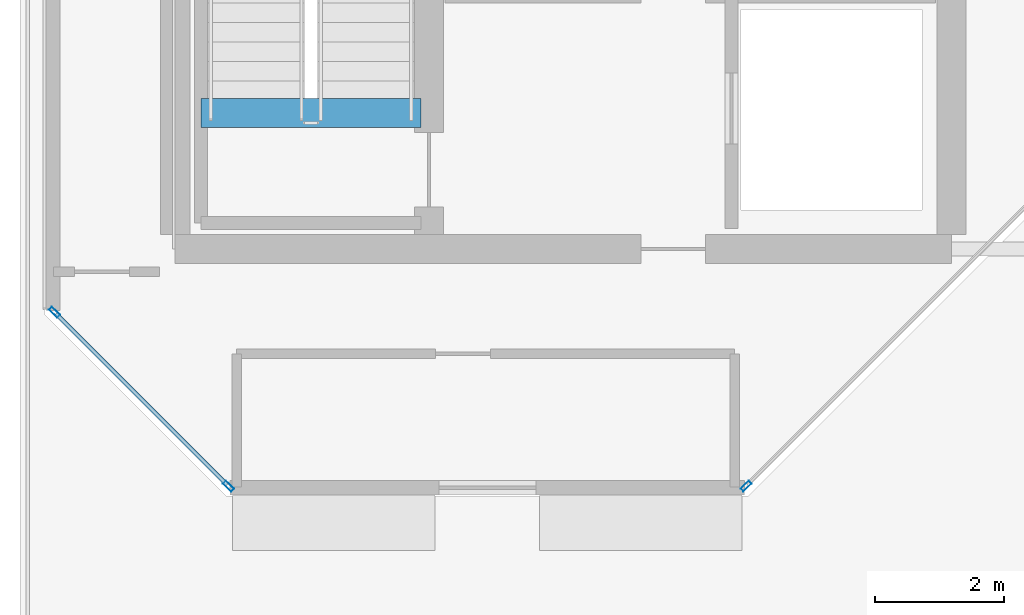
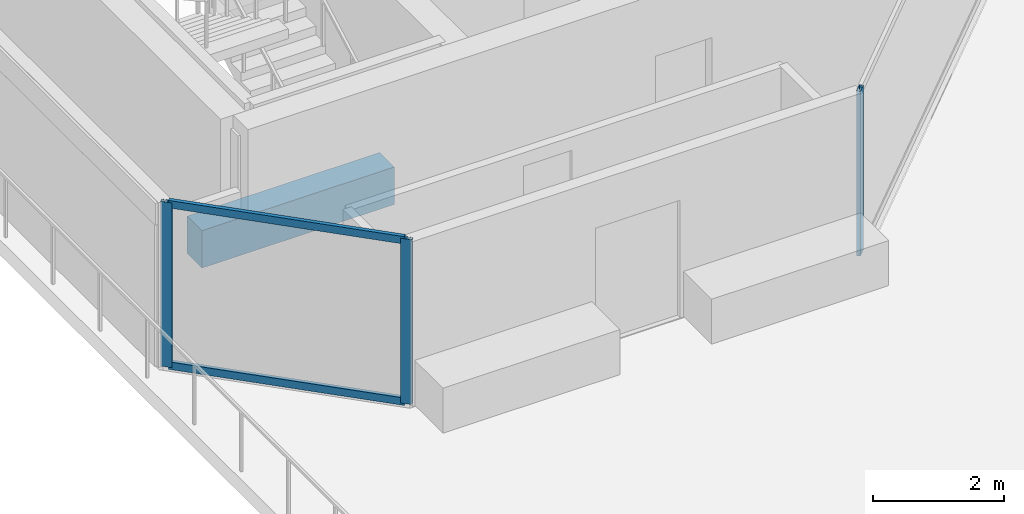
# One storey, part 2 of 30: 5 members, 1 beam, 2 elements without a shape of their own.
"""IFC4 building model written with IfcOpenShell, lengths in metres."""

import ifcopenshell
import ifcopenshell.guid

model = None  # the IFC model being written
_history = None  # IfcOwnerHistory: only IFC2X3 demands one
_inside = {}  # id of a spatial element -> (the spatial element, [elements in it])
_under = {}  # id of a project, library or spatial element -> (it, [spatial elements below it])
_declared = {}  # id of a project -> (the project, [libraries it declares])
_typed = {}  # id of a type object -> (the type object, [elements of that type])
_made_of = {}  # id of a material, layer set ... -> (it, [elements and type objects made of it])


def new_model(schema):
    """Start an empty IFC model of exactly this schema.

    Asked for "IFC4X3", IfcOpenShell would pick the latest addendum, in which some entities
    have other attributes; the version numbers below select the first issue.
    IFC2X3 requires an IfcOwnerHistory on every rooted entity: one is made here for all.
    """
    global model, _history
    if schema == "IFC4X3":
        model = ifcopenshell.file(schema_version=(4, 3, 0, 0))
    else:
        model = ifcopenshell.file(schema=schema)
    _inside.clear()
    _under.clear()
    _declared.clear()
    _typed.clear()
    _made_of.clear()
    _history = None
    if model.schema == "IFC2X3":
        org = make("IfcOrganization", Name="unknown")
        user = make(
            "IfcPersonAndOrganization",
            ThePerson=make("IfcPerson", FamilyName="unknown"),
            TheOrganization=org,
        )
        app = make(
            "IfcApplication",
            ApplicationDeveloper=org,
            Version="unknown",
            ApplicationFullName="unknown",
            ApplicationIdentifier="unknown",
        )
        _history = make(
            "IfcOwnerHistory",
            OwningUser=user,
            OwningApplication=app,
            ChangeAction="ADDED",
            CreationDate=0,
        )
    return model


def make(cls, **values):
    """One entity of the class cls with the attributes given. An attribute that is None is left unset."""
    return model.create_entity(
        cls, **{name: value for name, value in values.items() if value is not None}
    )


def rooted(cls, **values):
    """An entity with a GlobalId (a new one), such as an element, a storey or a relation."""
    return make(cls, GlobalId=ifcopenshell.guid.new(), OwnerHistory=_history, **values)


def si_unit(unit_type, name, prefix=None):
    """IfcSIUnit, for example si_unit("LENGTHUNIT", "METRE", prefix="MILLI")."""
    return make("IfcSIUnit", UnitType=unit_type, Prefix=prefix, Name=name)


def assignment(units):
    """IfcUnitAssignment: the units of a project."""
    return None if units is None else make("IfcUnitAssignment", Units=units)


def point(xyz):
    """IfcCartesianPoint."""
    return None if xyz is None else make("IfcCartesianPoint", Coordinates=xyz)


def direction(xyz):
    """IfcDirection."""
    return None if xyz is None else make("IfcDirection", DirectionRatios=xyz)


def frame(location, z_axis=None, x_axis=None):
    """IfcAxis2Placement3D, a coordinate frame: its origin and axes. An axis left out is left unset."""
    return make(
        "IfcAxis2Placement3D",
        Location=point(location),
        Axis=direction(z_axis),
        RefDirection=direction(x_axis),
    )


def frame_2d(location, x_axis=None):
    """IfcAxis2Placement2D, a coordinate frame in the plane: its origin and x axis."""
    return make(
        "IfcAxis2Placement2D", Location=point(location), RefDirection=direction(x_axis)
    )


def origin():
    """The frame at (0, 0, 0) with its axes left unset."""
    return frame((0.0, 0.0, 0.0))


def origin_2d():
    """The frame at (0, 0) in the plane with its x axis left unset."""
    return frame_2d((0.0, 0.0))


def place(relative_to, where):
    """IfcLocalPlacement: puts the frame where relative to a parent placement (None: the world)."""
    return make(
        "IfcLocalPlacement", PlacementRelTo=relative_to, RelativePlacement=where
    )


def context(
    kind, dimensions, precision=None, world=None, true_north=None, identifier=None
):
    """IfcGeometricRepresentationContext, for example the 3D "Model" context."""
    return make(
        "IfcGeometricRepresentationContext",
        ContextIdentifier=identifier,
        ContextType=kind,
        CoordinateSpaceDimension=dimensions,
        Precision=precision,
        WorldCoordinateSystem=world,
        TrueNorth=true_north,
    )


def subcontext(parent, identifier, kind, view, scale=None):
    """IfcGeometricRepresentationSubContext, for example "Body" below "Model"."""
    return make(
        "IfcGeometricRepresentationSubContext",
        ContextIdentifier=identifier,
        ContextType=kind,
        ParentContext=parent,
        TargetScale=scale,
        TargetView=view,
    )


def project(units=None, contexts=None):
    """IfcProject with its units and contexts."""
    return rooted(
        "IfcProject",
        Name="project",
        RepresentationContexts=contexts,
        UnitsInContext=assignment(units),
    )


def spatial(cls, under=None, at=None, **own):
    """A site, building, storey or space (cls), placed at a placement, below another one or the project."""
    s = rooted(cls, ObjectPlacement=at, **own)
    if under is not None:
        _under.setdefault(under.id(), (under, []))[1].append(s)
    return s


def profile(cls, at=None, kind="AREA", **sizes):
    """A parametric profile (cls). Its sizes go by their IFC names, for example OverallWidth=200.0."""
    return make(cls, ProfileType=kind, Position=at, **sizes)


def rectangle(**sizes):
    """IfcRectangleProfileDef."""
    return profile("IfcRectangleProfileDef", **sizes)


def hollow_rectangle(**sizes):
    """IfcRectangleHollowProfileDef."""
    return profile("IfcRectangleHollowProfileDef", **sizes)


def extrude(swept, where, along, depth):
    """IfcExtrudedAreaSolid: the profile swept, set in the frame where, extruded along a direction by depth."""
    return make(
        "IfcExtrudedAreaSolid",
        SweptArea=swept,
        Position=where,
        ExtrudedDirection=direction(along),
        Depth=depth,
    )


def shape(context_of_items, identifier, shape_type, items):
    """IfcShapeRepresentation: the items that make up one representation, for example the "Body"."""
    return make(
        "IfcShapeRepresentation",
        ContextOfItems=context_of_items,
        RepresentationIdentifier=identifier,
        RepresentationType=shape_type,
        Items=items,
    )


def material(Name=None, Category=None):
    """IfcMaterial."""
    return make("IfcMaterial", Name=Name, Category=Category)


def layer(
    of_material, thickness, ventilated=None, Name=None, Category=None, Priority=None
):
    """IfcMaterialLayer: one layer of a wall or slab, of a material (None: an air gap)."""
    return make(
        "IfcMaterialLayer",
        Material=of_material,
        LayerThickness=thickness,
        IsVentilated=ventilated,
        Name=Name,
        Category=Category,
        Priority=Priority,
    )


def layer_set(layers, Name=None):
    """IfcMaterialLayerSet."""
    return make("IfcMaterialLayerSet", MaterialLayers=layers, LayerSetName=Name)


def material_profile(
    of_material, cross_section, Name=None, Category=None, Priority=None
):
    """IfcMaterialProfile: a cross section and its material."""
    return make(
        "IfcMaterialProfile",
        Name=Name,
        Material=of_material,
        Profile=cross_section,
        Priority=Priority,
        Category=Category,
    )


def profile_set(profiles, Name=None, composite=None):
    """IfcMaterialProfileSet."""
    return make(
        "IfcMaterialProfileSet",
        Name=Name,
        MaterialProfiles=profiles,
        CompositeProfile=composite,
    )


def made_of(thing, what):
    """Note that an element or type object is made of a material, layer set ...; save() writes the relation."""
    if what is not None:
        _made_of.setdefault(what.id(), (what, []))[1].append(thing)
    return thing


def type_object(cls, material=None, **own):
    """A type object (cls), such as IfcWallType, which elements share."""
    return made_of(rooted(cls, **own), material)


def element(
    cls,
    number,
    at=None,
    inside=None,
    cuts=None,
    type_object=None,
    material=None,
    context=None,
    identifier="Body",
    shape_type=None,
    held_by="IfcProductDefinitionShape",
    body=None,
    shapes=None,
    **own,
):
    """One element of the class cls, such as IfcWall. Its Tag is "e" and its number.

    at: its placement. inside: the storey or other place that contains it. cuts: it is an
    opening in that element (IfcRelVoidsElement). A single representation is given by context,
    identifier, shape_type and body (its items); several are given by shapes. held_by: the class
    of the entity that holds the representations. save() writes the other relations.
    """
    e = rooted(cls, Tag="e%d" % number, ObjectPlacement=at, **own)
    if body is not None:
        shapes = [shape(context, identifier, shape_type, body)]
    if shapes is not None:
        e.Representation = make(held_by, Representations=shapes)
    if inside is not None:
        _inside.setdefault(inside.id(), (inside, []))[1].append(e)
    if cuts is not None:
        rooted(
            "IfcRelVoidsElement", RelatingBuildingElement=cuts, RelatedOpeningElement=e
        )
    if type_object is not None:
        _typed.setdefault(type_object.id(), (type_object, []))[1].append(e)
    return made_of(e, material)


def aggregate(whole, parts):
    """IfcRelAggregates: a whole, such as a stair, and the parts it consists of."""
    return rooted("IfcRelAggregates", RelatingObject=whole, RelatedObjects=parts)


def save(model, path):
    """Write the relations noted so far, then the file.

    IfcRelAggregates (storeys below a building ...), IfcRelContainedInSpatialStructure (elements
    in a storey), IfcRelDefinesByType, IfcRelAssociatesMaterial and IfcRelDeclares: one each for
    every whole, place, type object, material and project.
    """
    for whole, parts in _under.values():
        aggregate(whole, parts)
    for where, things in _inside.values():
        rooted(
            "IfcRelContainedInSpatialStructure",
            RelatedElements=things,
            RelatingStructure=where,
        )
    for kind, things in _typed.values():
        rooted("IfcRelDefinesByType", RelatedObjects=things, RelatingType=kind)
    for what, things in _made_of.values():
        rooted("IfcRelAssociatesMaterial", RelatedObjects=things, RelatingMaterial=what)
    for by, libraries in _declared.values():
        rooted("IfcRelDeclares", RelatingContext=by, RelatedDefinitions=libraries)
    model.write(path)


model = new_model("IFC4")

# Units and contexts
model_context = context("Model", 3, precision=1e-05, world=origin(), true_north=direction((0.0, 1.0)))
body_context = subcontext(model_context, "Body", "Model", "MODEL_VIEW")
ifc_project = project(units=[si_unit("LENGTHUNIT", "METRE"), si_unit("AREAUNIT", "SQUARE_METRE"), si_unit("VOLUMEUNIT", "CUBIC_METRE"), si_unit("PLANEANGLEUNIT", "RADIAN"), si_unit("MASSUNIT", "GRAM", prefix="KILO")], contexts=[model_context])

# Site, building, storey
site_placement = place(None, origin())
site = spatial("IfcSite", under=ifc_project, at=site_placement, CompositionType="ELEMENT")
building_placement = place(site_placement, origin())
building = spatial("IfcBuilding", under=site, at=building_placement, Name="Tanjung Sevakor Pilgrim Tower", CompositionType="ELEMENT")
storey_placement = place(building_placement, frame((0.0, 0.0, 229.35009765625)))
storey = spatial("IfcBuildingStorey", under=building, at=storey_placement, Name="L64", CompositionType="ELEMENT", Elevation=229.35009765625)

# Beam
ifc_material_1 = material(Name="Concrete C60/75", Category="concrete")
ifc_material_profile_1 = material_profile(ifc_material_1, rectangle(XDim=0.449951171875, YDim=0.699951171875, at=origin_2d()))
ifc_profile_set_1 = profile_set([ifc_material_profile_1], Name="Concrete C60/75")
beam_type = type_object("IfcBeamType", Name="BM-B-LN3-RC-BM_450x700", PredefinedType="LINTEL", material=ifc_profile_set_1)
beam_placement = place(storey_placement, frame((24.39990234375, 26.699951171875, -0.35009765625), z_axis=(1.0, 0.0, 0.0), x_axis=(0.0, 1.0, 0.0)))
element("IfcBeam", 1, at=beam_placement, inside=storey, type_object=beam_type, Name="L64 TS-W1 Stair Threshold Beam", PredefinedType="LINTEL", context=body_context, shape_type="SweptSolid", body=[
    extrude(rectangle(XDim=0.449951171875, YDim=0.699951171875, at=origin_2d()), origin(), (0.0, 0.0, 1.0), 3.400146484375),
])

# Curtain wall, member
ifc_material_2 = material(Name="Aluminium 6063-T6 and Low-E Glass", Category="aluminium")
ifc_layer = layer(ifc_material_2, 0.179931640625)
ifc_layer_set = layer_set([ifc_layer], Name="CW-SYS-CHAM")
curtain_wall_type = type_object("IfcCurtainWallType", Name="CW-SYS-CHAM", PredefinedType="NOTDEFINED", material=ifc_layer_set)
curtain_wall_1_placement = place(storey_placement, origin())
curtain_wall_1 = element("IfcCurtainWall", 2, at=curtain_wall_1_placement, inside=storey, type_object=curtain_wall_type, Name="L64 Curtain Wall CW-CHM-L64-WEST-1", PredefinedType="NOTDEFINED")
ifc_material_3 = material(Name="Aluminium 6063-T6", Category="aluminium")
ifc_material_profile_2 = material_profile(ifc_material_3, hollow_rectangle(XDim=0.06494140625, YDim=0.179931640625, WallThickness=0.00390625, at=origin_2d()))
ifc_profile_set_2 = profile_set([ifc_material_profile_2], Name="Aluminium 6063-T6")
member_type_1 = type_object("IfcMemberType", Name="TYPE-CWM-1", PredefinedType="MULLION", material=ifc_profile_set_2)
member_1_placement = place(storey_placement, frame((32.827392578125, 20.932861328125, 0.0), z_axis=(0.0, 0.0, 1.0), x_axis=(-0.707106781187, 0.707106781187, 0.0)))
member_1 = element("IfcMember", 3, at=member_1_placement, type_object=member_type_1, Name="CW-CHM mullion 1", PredefinedType="MULLION", context=body_context, shape_type="SweptSolid", body=[
    extrude(hollow_rectangle(XDim=0.06494140625, YDim=0.179931640625, WallThickness=0.00390625, at=origin_2d()), origin(), (0.0, 0.0, 1.0), 3.079833984375),
])
aggregate(curtain_wall_1, [member_1])

# Curtain wall, members
curtain_wall_2_placement = place(storey_placement, origin())
curtain_wall_2 = element("IfcCurtainWall", 4, at=curtain_wall_2_placement, inside=storey, type_object=curtain_wall_type, Name="L64 Curtain Wall CW-CHM-L64-WEST-7", PredefinedType="NOTDEFINED")
member_2_placement = place(storey_placement, frame((22.133056640625, 23.62255859375, 0.0), z_axis=(0.0, 0.0, 1.0), x_axis=(0.707106781187, 0.707106781187, 0.0)))
member_2 = element("IfcMember", 5, at=member_2_placement, type_object=member_type_1, Name="CW-CHM mullion 1", PredefinedType="MULLION", context=body_context, shape_type="SweptSolid", body=[
    extrude(hollow_rectangle(XDim=0.06494140625, YDim=0.179931640625, WallThickness=0.00390625, at=origin_2d()), origin(), (0.0, 0.0, 1.0), 3.079833984375),
])
member_3_placement = place(storey_placement, frame((24.822509765625, 20.932861328125, 0.0), z_axis=(0.0, 0.0, 1.0), x_axis=(0.707106781187, 0.707106781187, 0.0)))
member_3 = element("IfcMember", 6, at=member_3_placement, type_object=member_type_1, Name="CW-CHM mullion 2", PredefinedType="MULLION", context=body_context, shape_type="SweptSolid", body=[
    extrude(hollow_rectangle(XDim=0.06494140625, YDim=0.179931640625, WallThickness=0.00390625, at=origin_2d()), origin(), (0.0, 0.0, 1.0), 3.079833984375),
])
ifc_material_4 = material(Name="Aluminium 6063-T6", Category="aluminium")
ifc_material_profile_3 = material_profile(ifc_material_4, hollow_rectangle(XDim=0.06494140625, YDim=0.139892578125, WallThickness=0.00390625, at=origin_2d()))
ifc_profile_set_3 = profile_set([ifc_material_profile_3], Name="Aluminium 6063-T6")
member_type_2 = type_object("IfcMemberType", Name="TYPE-CWT-1", PredefinedType="USERDEFINED", material=ifc_profile_set_3)
member_4_placement = place(storey_placement, frame((22.156005859375, 23.599609375, 0.032470703125), z_axis=(0.707106781187, -0.707106781187, 0.0), x_axis=(0.707106781187, 0.707106781187, 0.0)))
member_4 = element("IfcMember", 7, at=member_4_placement, type_object=member_type_2, Name="CW-CHM transom 1.1", ObjectType="TRANSOM", PredefinedType="USERDEFINED", context=body_context, shape_type="SweptSolid", body=[
    extrude(hollow_rectangle(XDim=0.06494140625, YDim=0.139892578125, WallThickness=0.00390625, at=origin_2d()), origin(), (0.0, 0.0, 1.0), 3.738525390625),
])
member_5_placement = place(storey_placement, frame((22.156005859375, 23.599609375, 3.04736328125), z_axis=(0.707106781187, -0.707106781187, 0.0), x_axis=(0.707106781187, 0.707106781187, 0.0)))
member_5 = element("IfcMember", 8, at=member_5_placement, type_object=member_type_2, Name="CW-CHM transom 1.2", ObjectType="TRANSOM", PredefinedType="USERDEFINED", context=body_context, shape_type="SweptSolid", body=[
    extrude(hollow_rectangle(XDim=0.06494140625, YDim=0.139892578125, WallThickness=0.00390625, at=origin_2d()), origin(), (0.0, 0.0, 1.0), 3.738525390625),
])
aggregate(curtain_wall_2, [member_2, member_3, member_4, member_5])

save(model, "model.ifc")
